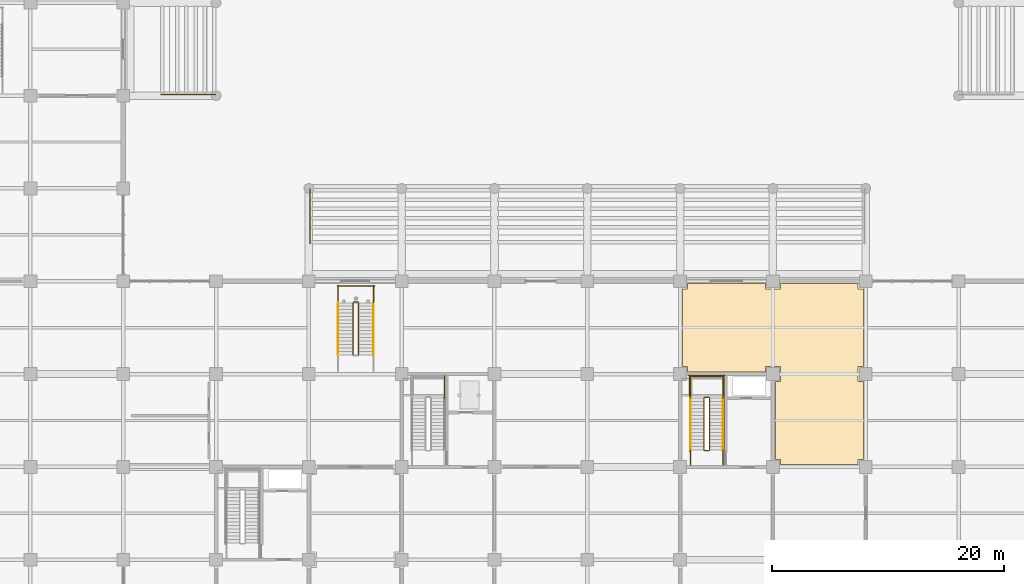
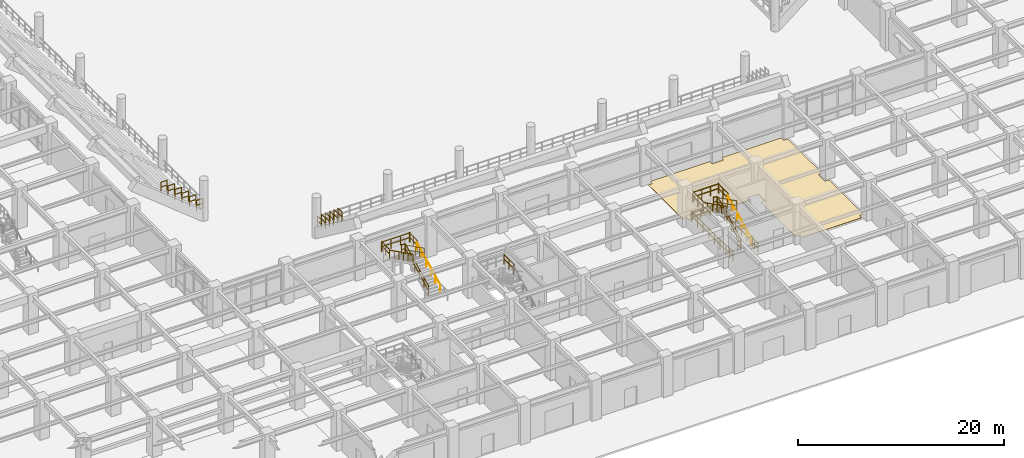
# One storey, part 106 of 125: 35 railings, 1 covering.
"""IFC4 building model written with IfcOpenShell, lengths in metres."""

from ifc_helpers import new_model, si_unit, direction, frame, origin, origin_2d, place, context, subcontext, project, spatial, polyline, circle, outline, extrude, material, layer, layer_set, type_object, element, save


model = new_model("IFC4")

# Units and contexts
model_context = context("Model", 3, precision=1e-05, world=origin(), true_north=direction((0.0, 1.0)))
body_context = subcontext(model_context, "Body", "Model", "MODEL_VIEW")
ifc_project = project(units=[si_unit("LENGTHUNIT", "METRE"), si_unit("AREAUNIT", "SQUARE_METRE"), si_unit("VOLUMEUNIT", "CUBIC_METRE"), si_unit("PLANEANGLEUNIT", "RADIAN"), si_unit("MASSUNIT", "GRAM", prefix="KILO")], contexts=[model_context])

# Site, building, storey
site_placement = place(None, origin())
site = spatial("IfcSite", under=ifc_project, at=site_placement, CompositionType="ELEMENT")
building_placement = place(site_placement, origin())
building = spatial("IfcBuilding", under=site, at=building_placement, Name="Haebicheon Civic Stadium", CompositionType="ELEMENT")
storey_placement = place(building_placement, origin())
storey = spatial("IfcBuildingStorey", under=building, at=storey_placement, Name="L01", CompositionType="ELEMENT", Elevation=0.0)

# Covering
ifc_material_1 = material(Name="Quartz epoxy resin mortar", Category="concrete")
ifc_layer = layer(ifc_material_1, 0.030029296875, Name="Quartz epoxy resin mortar")
ifc_layer_set = layer_set([ifc_layer], Name="Quartz epoxy resin mortar")
covering_type = type_object("IfcCoveringType", Name="COV-FLR-EPX", PredefinedType="FLOORING", material=ifc_layer_set)
covering_placement = place(storey_placement, origin())
element("IfcCovering", 1, at=covering_placement, inside=storey, type_object=covering_type, material=ifc_layer_set, Name="L01 Main Spectator Concourse non-slip floor finish", PredefinedType="FLOORING", context=body_context, shape_type="SweptSolid", body=[
    extrude(outline(polyline([(120.64990234375, 16.199951171875), (120.64990234375, 16.64990234375), (120.199951171875, 16.64990234375), (120.199951171875, 23.35009765625), (120.64990234375, 23.35009765625), (120.64990234375, 24.64990234375), (119.35009765625, 24.64990234375), (119.35009765625, 24.199951171875), (112.64990234375, 24.199951171875), (112.64990234375, 24.64990234375), (112.199951171875, 24.64990234375), (112.199951171875, 31.35009765625), (112.64990234375, 31.35009765625), (112.64990234375, 31.800048828125), (119.35009765625, 31.800048828125), (119.35009765625, 31.35009765625), (120.64990234375, 31.35009765625), (120.64990234375, 31.800048828125), (127.35009765625, 31.800048828125), (127.35009765625, 31.35009765625), (127.800048828125, 31.35009765625), (127.800048828125, 24.64990234375), (127.35009765625, 24.64990234375), (127.35009765625, 23.35009765625), (127.800048828125, 23.35009765625), (127.800048828125, 16.64990234375), (127.35009765625, 16.64990234375), (127.35009765625, 16.199951171875), (120.64990234375, 16.199951171875)])), origin(), (0.0, 0.0, 1.0), 0.030029296875),
])

# Railings
ifc_material_2 = material(Name="Stainless steel 316 and laminated glass", Category="steel")
railing_type_1 = type_object("IfcRailingType", Name="RL-BAL-1200", PredefinedType="BALUSTRADE", material=ifc_material_2)
for number, where, name in (
    (2, (71.239990234375, 48.10009765625, 1.199951171875), "TIER-W-L end-aisle side guard S.1"),
    (3, (70.43994140625, 48.10009765625, 1.910888671875), "TIER-W-L end-aisle side guard S.2"),
):
    element("IfcRailing", number, at=place(storey_placement, frame(where)), inside=storey, type_object=railing_type_1, material=ifc_material_2, Name=name, PredefinedType="BALUSTRADE", context=body_context, shape_type="SweptSolid", body=[
        extrude(circle(Radius=0.02392578125, at=origin_2d()), frame((0.0, 0.0, 1.17578125), z_axis=(1.0, 0.0, 0.0), x_axis=(0.0, 1.0, 0.0)), (0.0, 0.0, 1.0), 0.719970703125),
        extrude(circle(Radius=0.02392578125, at=origin_2d()), frame((0.0, 0.0, 0.60009765625), z_axis=(1.0, 0.0, 0.0), x_axis=(0.0, 1.0, 0.0)), (0.0, 0.0, 1.0), 0.719970703125),
        extrude(circle(Radius=0.02099609375, at=origin_2d()), origin(), (0.0, 0.0, 1.0), 1.15185546875),
        extrude(circle(Radius=0.02099609375, at=origin_2d()), frame((0.719970703125, 0.0, 0.0)), (0.0, 0.0, 1.0), 1.15185546875),
    ])
railing_1_placement = place(storey_placement, frame((69.639892578125, 48.10009765625, 2.6220703125)))
element("IfcRailing", 4, at=railing_1_placement, inside=storey, type_object=railing_type_1, material=ifc_material_2, Name="TIER-W-L end-aisle side guard S.3", PredefinedType="BALUSTRADE", context=body_context, shape_type="SweptSolid", body=[
    extrude(circle(Radius=0.02392578125, at=origin_2d()), frame((0.0, 0.0, 1.17578125), z_axis=(1.0, 0.0, 0.0), x_axis=(0.0, 1.0, 0.0)), (0.0, 0.0, 1.0), 0.72021484375),
    extrude(circle(Radius=0.02392578125, at=origin_2d()), frame((0.0, 0.0, 0.60009765625), z_axis=(1.0, 0.0, 0.0), x_axis=(0.0, 1.0, 0.0)), (0.0, 0.0, 1.0), 0.72021484375),
    extrude(circle(Radius=0.02099609375, at=origin_2d()), origin(), (0.0, 0.0, 1.0), 1.15185546875),
    extrude(circle(Radius=0.02099609375, at=origin_2d()), frame((0.72021484375, 0.0, 0.0)), (0.0, 0.0, 1.0), 1.15185546875),
])
for number, where, name in (
    (5, (68.840087890625, 48.10009765625, 3.3330078125), "TIER-W-L end-aisle side guard S.4"),
    (6, (68.0400390625, 48.10009765625, 4.0439453125), "TIER-W-L end-aisle side guard S.5"),
    (7, (67.239990234375, 48.10009765625, 4.756103515625), "TIER-W-L end-aisle side guard S.6"),
):
    element("IfcRailing", number, at=place(storey_placement, frame(where)), inside=storey, type_object=railing_type_1, material=ifc_material_2, Name=name, PredefinedType="BALUSTRADE", context=body_context, shape_type="SweptSolid", body=[
        extrude(circle(Radius=0.02392578125, at=origin_2d()), frame((0.0, 0.0, 1.17578125), z_axis=(1.0, 0.0, 0.0), x_axis=(0.0, 1.0, 0.0)), (0.0, 0.0, 1.0), 0.719970703125),
        extrude(circle(Radius=0.02392578125, at=origin_2d()), frame((0.0, 0.0, 0.60009765625), z_axis=(1.0, 0.0, 0.0), x_axis=(0.0, 1.0, 0.0)), (0.0, 0.0, 1.0), 0.719970703125),
        extrude(circle(Radius=0.02099609375, at=origin_2d()), origin(), (0.0, 0.0, 1.0), 1.15185546875),
        extrude(circle(Radius=0.02099609375, at=origin_2d()), frame((0.719970703125, 0.0, 0.0)), (0.0, 0.0, 1.0), 1.15185546875),
    ])
for number, where, name in (
    (8, (80.10009765625, 39.239990234375, 1.199951171875), "TIER-S-L end-aisle side guard W.1"),
    (9, (80.10009765625, 38.43994140625, 1.866943359375), "TIER-S-L end-aisle side guard W.2"),
):
    element("IfcRailing", number, at=place(storey_placement, frame(where)), inside=storey, type_object=railing_type_1, material=ifc_material_2, Name=name, PredefinedType="BALUSTRADE", context=body_context, shape_type="SweptSolid", body=[
        extrude(circle(Radius=0.02392578125, at=origin_2d()), frame((0.0, 0.0, 1.17578125), z_axis=(0.0, 1.0, 0.0), x_axis=(-1.0, 0.0, 0.0)), (0.0, 0.0, 1.0), 0.719970703125),
        extrude(circle(Radius=0.02392578125, at=origin_2d()), frame((0.0, 0.0, 0.60009765625), z_axis=(0.0, 1.0, 0.0), x_axis=(-1.0, 0.0, 0.0)), (0.0, 0.0, 1.0), 0.719970703125),
        extrude(circle(Radius=0.02099609375, at=origin_2d()), origin(), (0.0, 0.0, 1.0), 1.15185546875),
        extrude(circle(Radius=0.02099609375, at=origin_2d()), frame((0.0, 0.719970703125, 0.0)), (0.0, 0.0, 1.0), 1.15185546875),
    ])
railing_2_placement = place(storey_placement, frame((80.10009765625, 37.639892578125, 2.532958984375)))
element("IfcRailing", 10, at=railing_2_placement, inside=storey, type_object=railing_type_1, material=ifc_material_2, Name="TIER-S-L end-aisle side guard W.3", PredefinedType="BALUSTRADE", context=body_context, shape_type="SweptSolid", body=[
    extrude(circle(Radius=0.02392578125, at=origin_2d()), frame((0.0, 0.0, 1.17578125), z_axis=(0.0, 1.0, 0.0), x_axis=(-1.0, 0.0, 0.0)), (0.0, 0.0, 1.0), 0.72021484375),
    extrude(circle(Radius=0.02392578125, at=origin_2d()), frame((0.0, 0.0, 0.60009765625), z_axis=(0.0, 1.0, 0.0), x_axis=(-1.0, 0.0, 0.0)), (0.0, 0.0, 1.0), 0.72021484375),
    extrude(circle(Radius=0.02099609375, at=origin_2d()), origin(), (0.0, 0.0, 1.0), 1.15185546875),
    extrude(circle(Radius=0.02099609375, at=origin_2d()), frame((0.0, 0.72021484375, 0.0)), (0.0, 0.0, 1.0), 1.15185546875),
])
for number, where, name in (
    (11, (80.10009765625, 36.840087890625, 3.199951171875), "TIER-S-L end-aisle side guard W.4"),
    (12, (80.10009765625, 36.0400390625, 3.866943359375), "TIER-S-L end-aisle side guard W.5"),
    (13, (80.10009765625, 35.239990234375, 4.532958984375), "TIER-S-L end-aisle side guard W.6"),
):
    element("IfcRailing", number, at=place(storey_placement, frame(where)), inside=storey, type_object=railing_type_1, material=ifc_material_2, Name=name, PredefinedType="BALUSTRADE", context=body_context, shape_type="SweptSolid", body=[
        extrude(circle(Radius=0.02392578125, at=origin_2d()), frame((0.0, 0.0, 1.17578125), z_axis=(0.0, 1.0, 0.0), x_axis=(-1.0, 0.0, 0.0)), (0.0, 0.0, 1.0), 0.719970703125),
        extrude(circle(Radius=0.02392578125, at=origin_2d()), frame((0.0, 0.0, 0.60009765625), z_axis=(0.0, 1.0, 0.0), x_axis=(-1.0, 0.0, 0.0)), (0.0, 0.0, 1.0), 0.719970703125),
        extrude(circle(Radius=0.02099609375, at=origin_2d()), origin(), (0.0, 0.0, 1.0), 1.15185546875),
        extrude(circle(Radius=0.02099609375, at=origin_2d()), frame((0.0, 0.719970703125, 0.0)), (0.0, 0.0, 1.0), 1.15185546875),
    ])
ifc_material_3 = material(Name="Galvanised painted steel SM355", Category="steel")
railing_type_2 = type_object("IfcRailingType", Name="RL-GRD-1150", PredefinedType="GUARDRAIL", material=ifc_material_3)
railing_3_placement = place(storey_placement, frame((91.68994140625, 21.949951171875, 2.39990234375)))
element("IfcRailing", 14, at=railing_3_placement, inside=storey, type_object=railing_type_2, material=ifc_material_3, Name="L01 ST-06 stair guard 3", PredefinedType="GUARDRAIL", context=body_context, shape_type="SweptSolid", body=[
    extrude(circle(Radius=0.02392578125, at=origin_2d()), frame((0.0, 0.0, 1.1259765625), z_axis=(0.0, 1.0, 0.0), x_axis=(-1.0, 0.0, 0.0)), (0.0, 0.0, 1.0), 1.89013671875),
    extrude(circle(Radius=0.02392578125, at=origin_2d()), frame((0.0, 0.0, 0.574951171875), z_axis=(0.0, 1.0, 0.0), x_axis=(-1.0, 0.0, 0.0)), (0.0, 0.0, 1.0), 1.89013671875),
    extrude(circle(Radius=0.02099609375, at=origin_2d()), origin(), (0.0, 0.0, 1.0), 1.101806640625),
    extrude(circle(Radius=0.02099609375, at=origin_2d()), frame((0.0, 0.945068359375, 0.0)), (0.0, 0.0, 1.0), 1.101806640625),
    extrude(circle(Radius=0.02099609375, at=origin_2d()), frame((0.0, 1.89013671875, 0.0)), (0.0, 0.0, 1.0), 1.101806640625),
])
railing_4_placement = place(storey_placement, frame((114.530029296875, 17.449951171875, 0.14990234375)))
element("IfcRailing", 15, at=railing_4_placement, inside=storey, type_object=railing_type_2, material=ifc_material_3, Name="L01 ST-07 stair guard 1", PredefinedType="GUARDRAIL", context=body_context, shape_type="SweptSolid", body=[
    extrude(circle(Radius=0.02392578125, at=origin_2d()), frame((0.0, 0.0, 1.1259765625), z_axis=(0.0, 0.894427191, 0.4472135955), x_axis=(-1.0, 0.0, 0.0)), (0.0, 0.0, 1.0), 5.03125),
    extrude(circle(Radius=0.02392578125, at=origin_2d()), frame((0.0, 0.0, 0.574951171875), z_axis=(0.0, 0.894427191, 0.4472135955), x_axis=(-1.0, 0.0, 0.0)), (0.0, 0.0, 1.0), 5.03125),
    extrude(circle(Radius=0.02099609375, at=origin_2d()), origin(), (0.0, 0.0, 1.0), 1.101806640625),
    extrude(circle(Radius=0.02099609375, at=origin_2d()), frame((0.0, 0.89990234375, 0.449951171875)), (0.0, 0.0, 1.0), 1.101806640625),
    extrude(circle(Radius=0.02099609375, at=origin_2d()), frame((0.0, 1.800048828125, 0.89990234375)), (0.0, 0.0, 1.0), 1.101806640625),
    extrude(circle(Radius=0.02099609375, at=origin_2d()), frame((0.0, 2.699951171875, 1.35009765625)), (0.0, 0.0, 1.0), 1.101806640625),
    extrude(circle(Radius=0.02099609375, at=origin_2d()), frame((0.0, 3.60009765625, 1.800048828125)), (0.0, 0.0, 1.0), 1.101806640625),
    extrude(circle(Radius=0.02099609375, at=origin_2d()), frame((0.0, 4.5, 2.25)), (0.0, 0.0, 1.0), 1.101806640625),
])
railing_5_placement = place(storey_placement, frame((114.47998046875, 22.0, 2.39990234375)))
element("IfcRailing", 16, at=railing_5_placement, inside=storey, type_object=railing_type_2, material=ifc_material_3, Name="L01 ST-07 stair guard 2", PredefinedType="GUARDRAIL", context=body_context, shape_type="SweptSolid", body=[
    extrude(circle(Radius=0.02392578125, at=origin_2d()), frame((0.0, 0.0, 1.1259765625), z_axis=(-1.0, 0.0, 0.0), x_axis=(0.0, -1.0, 0.0)), (0.0, 0.0, 1.0), 0.3798828125),
    extrude(circle(Radius=0.02392578125, at=origin_2d()), frame((0.0, 0.0, 0.574951171875), z_axis=(-1.0, 0.0, 0.0), x_axis=(0.0, -1.0, 0.0)), (0.0, 0.0, 1.0), 0.3798828125),
    extrude(circle(Radius=0.02099609375, at=origin_2d()), origin(), (0.0, 0.0, 1.0), 1.101806640625),
    extrude(circle(Radius=0.02099609375, at=origin_2d()), frame((-0.3798828125, 0.0, 0.0)), (0.0, 0.0, 1.0), 1.101806640625),
])
for number, where, name in (
    (17, (115.68994140625, 21.949951171875, 2.39990234375), "L01 ST-07 stair guard 3"),
    (18, (112.889892578125, 21.949951171875, 2.39990234375), "L01 ST-07 stair guard 4"),
):
    element("IfcRailing", number, at=place(storey_placement, frame(where)), inside=storey, type_object=railing_type_2, material=ifc_material_3, Name=name, PredefinedType="GUARDRAIL", context=body_context, shape_type="SweptSolid", body=[
        extrude(circle(Radius=0.02392578125, at=origin_2d()), frame((0.0, 0.0, 1.1259765625), z_axis=(0.0, 1.0, 0.0), x_axis=(-1.0, 0.0, 0.0)), (0.0, 0.0, 1.0), 1.89013671875),
        extrude(circle(Radius=0.02392578125, at=origin_2d()), frame((0.0, 0.0, 0.574951171875), z_axis=(0.0, 1.0, 0.0), x_axis=(-1.0, 0.0, 0.0)), (0.0, 0.0, 1.0), 1.89013671875),
        extrude(circle(Radius=0.02099609375, at=origin_2d()), origin(), (0.0, 0.0, 1.0), 1.101806640625),
        extrude(circle(Radius=0.02099609375, at=origin_2d()), frame((0.0, 0.945068359375, 0.0)), (0.0, 0.0, 1.0), 1.101806640625),
        extrude(circle(Radius=0.02099609375, at=origin_2d()), frame((0.0, 1.89013671875, 0.0)), (0.0, 0.0, 1.0), 1.101806640625),
    ])
railing_6_placement = place(storey_placement, frame((115.739990234375, 23.7900390625, 2.39990234375)))
element("IfcRailing", 19, at=railing_6_placement, inside=storey, type_object=railing_type_2, material=ifc_material_3, Name="L01 ST-07 stair guard 5", PredefinedType="GUARDRAIL", context=body_context, shape_type="SweptSolid", body=[
    extrude(circle(Radius=0.02392578125, at=origin_2d()), frame((0.0, 0.0, 1.1259765625), z_axis=(-1.0, 0.0, 0.0), x_axis=(0.0, -1.0, 0.0)), (0.0, 0.0, 1.0), 2.89990234375),
    extrude(circle(Radius=0.02392578125, at=origin_2d()), frame((0.0, 0.0, 0.574951171875), z_axis=(-1.0, 0.0, 0.0), x_axis=(0.0, -1.0, 0.0)), (0.0, 0.0, 1.0), 2.89990234375),
    extrude(circle(Radius=0.02099609375, at=origin_2d()), origin(), (0.0, 0.0, 1.0), 1.101806640625),
    extrude(circle(Radius=0.02099609375, at=origin_2d()), frame((-0.966552734375, 0.0, 0.0)), (0.0, 0.0, 1.0), 1.101806640625),
    extrude(circle(Radius=0.02099609375, at=origin_2d()), frame((-1.933349609375, 0.0, 0.0)), (0.0, 0.0, 1.0), 1.101806640625),
    extrude(circle(Radius=0.02099609375, at=origin_2d()), frame((-2.89990234375, 0.0, 0.0)), (0.0, 0.0, 1.0), 1.101806640625),
])
railing_7_placement = place(storey_placement, frame((114.050048828125, 21.949951171875, 2.550048828125)))
element("IfcRailing", 20, at=railing_7_placement, inside=storey, type_object=railing_type_2, material=ifc_material_3, Name="L01 ST-07 stair guard 6", PredefinedType="GUARDRAIL", context=body_context, shape_type="SweptSolid", body=[
    extrude(circle(Radius=0.02392578125, at=origin_2d()), frame((0.0, 0.0, 1.1259765625), z_axis=(0.0, -0.894427191, 0.4472135955), x_axis=(1.0, 0.0, 0.0)), (0.0, 0.0, 1.0), 5.03125),
    extrude(circle(Radius=0.02392578125, at=origin_2d()), frame((0.0, 0.0, 0.574951171875), z_axis=(0.0, -0.894427191, 0.4472135955), x_axis=(1.0, 0.0, 0.0)), (0.0, 0.0, 1.0), 5.03125),
    extrude(circle(Radius=0.02099609375, at=origin_2d()), origin(), (0.0, 0.0, 1.0), 1.101806640625),
    extrude(circle(Radius=0.02099609375, at=origin_2d()), frame((0.0, -0.89990234375, 0.449951171875)), (0.0, 0.0, 1.0), 1.101806640625),
    extrude(circle(Radius=0.02099609375, at=origin_2d()), frame((0.0, -1.800048828125, 0.89990234375)), (0.0, 0.0, 1.0), 1.101806640625),
    extrude(circle(Radius=0.02099609375, at=origin_2d()), frame((0.0, -2.699951171875, 1.35009765625)), (0.0, 0.0, 1.0), 1.101806640625),
    extrude(circle(Radius=0.02099609375, at=origin_2d()), frame((0.0, -3.60009765625, 1.800048828125)), (0.0, 0.0, 1.0), 1.101806640625),
    extrude(circle(Radius=0.02099609375, at=origin_2d()), frame((0.0, -4.5, 2.25)), (0.0, 0.0, 1.0), 1.101806640625),
])
railing_8_placement = place(storey_placement, frame((114.47998046875, 17.39990234375, 0.0)))
element("IfcRailing", 21, at=railing_8_placement, inside=storey, type_object=railing_type_2, material=ifc_material_3, Name="L01 ST-07 stair guard 7", PredefinedType="GUARDRAIL", context=body_context, shape_type="SweptSolid", body=[
    extrude(circle(Radius=0.02392578125, at=origin_2d()), frame((0.0, 0.0, 1.1259765625), z_axis=(-1.0, 0.0, 0.0), x_axis=(0.0, -1.0, 0.0)), (0.0, 0.0, 1.0), 0.3798828125),
    extrude(circle(Radius=0.02392578125, at=origin_2d()), frame((0.0, 0.0, 0.574951171875), z_axis=(-1.0, 0.0, 0.0), x_axis=(0.0, -1.0, 0.0)), (0.0, 0.0, 1.0), 0.3798828125),
    extrude(circle(Radius=0.02099609375, at=origin_2d()), origin(), (0.0, 0.0, 1.0), 1.101806640625),
    extrude(circle(Radius=0.02099609375, at=origin_2d()), frame((-0.3798828125, 0.0, 0.0)), (0.0, 0.0, 1.0), 1.101806640625),
])
for number, where, name in (
    (22, (115.68994140625, 16.159912109375, 0.0), "L01 ST-07 stair guard 8"),
    (23, (112.889892578125, 16.159912109375, 0.0), "L01 ST-07 stair guard 9"),
):
    element("IfcRailing", number, at=place(storey_placement, frame(where)), inside=storey, type_object=railing_type_2, material=ifc_material_3, Name=name, PredefinedType="GUARDRAIL", context=body_context, shape_type="SweptSolid", body=[
        extrude(circle(Radius=0.02392578125, at=origin_2d()), frame((0.0, 0.0, 1.1259765625), z_axis=(0.0, 1.0, 0.0), x_axis=(-1.0, 0.0, 0.0)), (0.0, 0.0, 1.0), 1.2900390625),
        extrude(circle(Radius=0.02392578125, at=origin_2d()), frame((0.0, 0.0, 0.574951171875), z_axis=(0.0, 1.0, 0.0), x_axis=(-1.0, 0.0, 0.0)), (0.0, 0.0, 1.0), 1.2900390625),
        extrude(circle(Radius=0.02099609375, at=origin_2d()), origin(), (0.0, 0.0, 1.0), 1.101806640625),
        extrude(circle(Radius=0.02099609375, at=origin_2d()), frame((0.0, 0.64501953125, 0.0)), (0.0, 0.0, 1.0), 1.101806640625),
        extrude(circle(Radius=0.02099609375, at=origin_2d()), frame((0.0, 1.2900390625, 0.0)), (0.0, 0.0, 1.0), 1.101806640625),
    ])
for number, where, name in (
    (24, (115.7900390625, 17.35009765625, 0.0), "L01 ST-07 stair guard 10"),
    (25, (112.7900390625, 17.35009765625, 0.0), "L01 ST-07 stair guard 11"),
):
    element("IfcRailing", number, at=place(storey_placement, frame(where)), inside=storey, type_object=railing_type_2, material=ifc_material_3, Name=name, PredefinedType="GUARDRAIL", context=body_context, shape_type="SweptSolid", body=[
        extrude(circle(Radius=0.02392578125, at=origin_2d()), frame((0.0, 0.0, 1.1259765625), z_axis=(0.0, 1.0, 0.0), x_axis=(-1.0, 0.0, 0.0)), (0.0, 0.0, 1.0), 6.58984375),
        extrude(circle(Radius=0.02392578125, at=origin_2d()), frame((0.0, 0.0, 0.574951171875), z_axis=(0.0, 1.0, 0.0), x_axis=(-1.0, 0.0, 0.0)), (0.0, 0.0, 1.0), 6.58984375),
        extrude(circle(Radius=0.02099609375, at=origin_2d()), origin(), (0.0, 0.0, 1.0), 1.101806640625),
        extrude(circle(Radius=0.02099609375, at=origin_2d()), frame((0.0, 1.098388671875, 0.0)), (0.0, 0.0, 1.0), 1.101806640625),
        extrude(circle(Radius=0.02099609375, at=origin_2d()), frame((0.0, 2.196533203125, 0.0)), (0.0, 0.0, 1.0), 1.101806640625),
        extrude(circle(Radius=0.02099609375, at=origin_2d()), frame((0.0, 3.294921875, 0.0)), (0.0, 0.0, 1.0), 1.101806640625),
        extrude(circle(Radius=0.02099609375, at=origin_2d()), frame((0.0, 4.393310546875, 0.0)), (0.0, 0.0, 1.0), 1.101806640625),
        extrude(circle(Radius=0.02099609375, at=origin_2d()), frame((0.0, 5.491455078125, 0.0)), (0.0, 0.0, 1.0), 1.101806640625),
        extrude(circle(Radius=0.02099609375, at=origin_2d()), frame((0.0, 6.58984375, 0.0)), (0.0, 0.0, 1.0), 1.101806640625),
    ])
railing_9_placement = place(storey_placement, frame((115.840087890625, 23.889892578125, 0.0)))
element("IfcRailing", 26, at=railing_9_placement, inside=storey, type_object=railing_type_2, material=ifc_material_3, Name="L01 ST-07 stair guard 12", PredefinedType="GUARDRAIL", context=body_context, shape_type="SweptSolid", body=[
    extrude(circle(Radius=0.02392578125, at=origin_2d()), frame((0.0, 0.0, 1.1259765625), z_axis=(-1.0, 0.0, 0.0), x_axis=(0.0, -1.0, 0.0)), (0.0, 0.0, 1.0), 3.10009765625),
    extrude(circle(Radius=0.02392578125, at=origin_2d()), frame((0.0, 0.0, 0.574951171875), z_axis=(-1.0, 0.0, 0.0), x_axis=(0.0, -1.0, 0.0)), (0.0, 0.0, 1.0), 3.10009765625),
    extrude(circle(Radius=0.02099609375, at=origin_2d()), origin(), (0.0, 0.0, 1.0), 1.101806640625),
    extrude(circle(Radius=0.02099609375, at=origin_2d()), frame((-1.033447265625, 0.0, 0.0)), (0.0, 0.0, 1.0), 1.101806640625),
    extrude(circle(Radius=0.02099609375, at=origin_2d()), frame((-2.066650390625, 0.0, 0.0)), (0.0, 0.0, 1.0), 1.101806640625),
    extrude(circle(Radius=0.02099609375, at=origin_2d()), frame((-3.10009765625, 0.0, 0.0)), (0.0, 0.0, 1.0), 1.101806640625),
])
railing_10_placement = place(storey_placement, frame((84.2900390625, 25.64990234375, 0.14990234375)))
element("IfcRailing", 27, at=railing_10_placement, inside=storey, type_object=railing_type_2, material=ifc_material_3, Name="L01 VM-10 stair guard 1", PredefinedType="GUARDRAIL", context=body_context, shape_type="SweptSolid", body=[
    extrude(circle(Radius=0.02392578125, at=origin_2d()), frame((0.0, 0.0, 1.1259765625), z_axis=(0.0, 0.894427191, 0.4472135955), x_axis=(-1.0, 0.0, 0.0)), (0.0, 0.0, 1.0), 5.03125),
    extrude(circle(Radius=0.02392578125, at=origin_2d()), frame((0.0, 0.0, 0.574951171875), z_axis=(0.0, 0.894427191, 0.4472135955), x_axis=(-1.0, 0.0, 0.0)), (0.0, 0.0, 1.0), 5.03125),
    extrude(circle(Radius=0.02099609375, at=origin_2d()), origin(), (0.0, 0.0, 1.0), 1.101806640625),
    extrude(circle(Radius=0.02099609375, at=origin_2d()), frame((0.0, 0.89990234375, 0.449951171875)), (0.0, 0.0, 1.0), 1.101806640625),
    extrude(circle(Radius=0.02099609375, at=origin_2d()), frame((0.0, 1.800048828125, 0.89990234375)), (0.0, 0.0, 1.0), 1.101806640625),
    extrude(circle(Radius=0.02099609375, at=origin_2d()), frame((0.0, 2.699951171875, 1.35009765625)), (0.0, 0.0, 1.0), 1.101806640625),
    extrude(circle(Radius=0.02099609375, at=origin_2d()), frame((0.0, 3.60009765625, 1.800048828125)), (0.0, 0.0, 1.0), 1.101806640625),
    extrude(circle(Radius=0.02099609375, at=origin_2d()), frame((0.0, 4.5, 2.25)), (0.0, 0.0, 1.0), 1.101806640625),
])
railing_11_placement = place(storey_placement, frame((84.239990234375, 30.199951171875, 2.39990234375)))
element("IfcRailing", 28, at=railing_11_placement, inside=storey, type_object=railing_type_2, material=ifc_material_3, Name="L01 VM-10 stair guard 2", PredefinedType="GUARDRAIL", context=body_context, shape_type="SweptSolid", body=[
    extrude(circle(Radius=0.02392578125, at=origin_2d()), frame((0.0, 0.0, 1.1259765625), z_axis=(-1.0, 0.0, 0.0), x_axis=(0.0, -1.0, 0.0)), (0.0, 0.0, 1.0), 0.3798828125),
    extrude(circle(Radius=0.02392578125, at=origin_2d()), frame((0.0, 0.0, 0.574951171875), z_axis=(-1.0, 0.0, 0.0), x_axis=(0.0, -1.0, 0.0)), (0.0, 0.0, 1.0), 0.3798828125),
    extrude(circle(Radius=0.02099609375, at=origin_2d()), origin(), (0.0, 0.0, 1.0), 1.101806640625),
    extrude(circle(Radius=0.02099609375, at=origin_2d()), frame((-0.3798828125, 0.0, 0.0)), (0.0, 0.0, 1.0), 1.101806640625),
])
for number, where, name in (
    (29, (85.590087890625, 30.14990234375, 2.39990234375), "L01 VM-10 stair guard 3"),
    (30, (82.510009765625, 30.14990234375, 2.39990234375), "L01 VM-10 stair guard 4"),
):
    element("IfcRailing", number, at=place(storey_placement, frame(where)), inside=storey, type_object=railing_type_2, material=ifc_material_3, Name=name, PredefinedType="GUARDRAIL", context=body_context, shape_type="SweptSolid", body=[
        extrude(circle(Radius=0.02392578125, at=origin_2d()), frame((0.0, 0.0, 1.1259765625), z_axis=(0.0, 1.0, 0.0), x_axis=(-1.0, 0.0, 0.0)), (0.0, 0.0, 1.0), 1.5),
        extrude(circle(Radius=0.02392578125, at=origin_2d()), frame((0.0, 0.0, 0.574951171875), z_axis=(0.0, 1.0, 0.0), x_axis=(-1.0, 0.0, 0.0)), (0.0, 0.0, 1.0), 1.5),
        extrude(circle(Radius=0.02099609375, at=origin_2d()), origin(), (0.0, 0.0, 1.0), 1.101806640625),
        extrude(circle(Radius=0.02099609375, at=origin_2d()), frame((0.0, 0.75, 0.0)), (0.0, 0.0, 1.0), 1.101806640625),
        extrude(circle(Radius=0.02099609375, at=origin_2d()), frame((0.0, 1.5, 0.0)), (0.0, 0.0, 1.0), 1.101806640625),
    ])
railing_12_placement = place(storey_placement, frame((85.639892578125, 31.60009765625, 2.39990234375)))
element("IfcRailing", 31, at=railing_12_placement, inside=storey, type_object=railing_type_2, material=ifc_material_3, Name="L01 VM-10 stair guard 5", PredefinedType="GUARDRAIL", context=body_context, shape_type="SweptSolid", body=[
    extrude(circle(Radius=0.02392578125, at=origin_2d()), frame((0.0, 0.0, 1.1259765625), z_axis=(-1.0, 0.0, 0.0), x_axis=(0.0, -1.0, 0.0)), (0.0, 0.0, 1.0), 3.179931640625),
    extrude(circle(Radius=0.02392578125, at=origin_2d()), frame((0.0, 0.0, 0.574951171875), z_axis=(-1.0, 0.0, 0.0), x_axis=(0.0, -1.0, 0.0)), (0.0, 0.0, 1.0), 3.179931640625),
    extrude(circle(Radius=0.02099609375, at=origin_2d()), origin(), (0.0, 0.0, 1.0), 1.101806640625),
    extrude(circle(Radius=0.02099609375, at=origin_2d()), frame((-1.06005859375, 0.0, 0.0)), (0.0, 0.0, 1.0), 1.101806640625),
    extrude(circle(Radius=0.02099609375, at=origin_2d()), frame((-2.119873046875, 0.0, 0.0)), (0.0, 0.0, 1.0), 1.101806640625),
    extrude(circle(Radius=0.02099609375, at=origin_2d()), frame((-3.179931640625, 0.0, 0.0)), (0.0, 0.0, 1.0), 1.101806640625),
])
railing_13_placement = place(storey_placement, frame((83.81005859375, 30.14990234375, 2.550048828125)))
element("IfcRailing", 32, at=railing_13_placement, inside=storey, type_object=railing_type_2, material=ifc_material_3, Name="L01 VM-10 stair guard 6", PredefinedType="GUARDRAIL", context=body_context, shape_type="SweptSolid", body=[
    extrude(circle(Radius=0.02392578125, at=origin_2d()), frame((0.0, 0.0, 1.1259765625), z_axis=(0.0, -0.894427191, 0.4472135955), x_axis=(1.0, 0.0, 0.0)), (0.0, 0.0, 1.0), 5.03125),
    extrude(circle(Radius=0.02392578125, at=origin_2d()), frame((0.0, 0.0, 0.574951171875), z_axis=(0.0, -0.894427191, 0.4472135955), x_axis=(1.0, 0.0, 0.0)), (0.0, 0.0, 1.0), 5.03125),
    extrude(circle(Radius=0.02099609375, at=origin_2d()), origin(), (0.0, 0.0, 1.0), 1.101806640625),
    extrude(circle(Radius=0.02099609375, at=origin_2d()), frame((0.0, -0.89990234375, 0.449951171875)), (0.0, 0.0, 1.0), 1.101806640625),
    extrude(circle(Radius=0.02099609375, at=origin_2d()), frame((0.0, -1.800048828125, 0.89990234375)), (0.0, 0.0, 1.0), 1.101806640625),
    extrude(circle(Radius=0.02099609375, at=origin_2d()), frame((0.0, -2.699951171875, 1.35009765625)), (0.0, 0.0, 1.0), 1.101806640625),
    extrude(circle(Radius=0.02099609375, at=origin_2d()), frame((0.0, -3.60009765625, 1.800048828125)), (0.0, 0.0, 1.0), 1.101806640625),
    extrude(circle(Radius=0.02099609375, at=origin_2d()), frame((0.0, -4.5, 2.25)), (0.0, 0.0, 1.0), 1.101806640625),
])
ifc_material_4 = material(Name="Stainless steel 316", Category="steel")
railing_type_3 = type_object("IfcRailingType", Name="RL-HND-900", PredefinedType="HANDRAIL", material=ifc_material_4)
railing_14_placement = place(storey_placement, frame((115.68994140625, 17.449951171875, 0.14990234375)))
element("IfcRailing", 33, at=railing_14_placement, inside=storey, type_object=railing_type_3, material=ifc_material_4, Name="L01 ST-07 stair handrail 1", PredefinedType="HANDRAIL", context=body_context, shape_type="SweptSolid", body=[
    extrude(circle(Radius=0.02392578125, at=origin_2d()), frame((0.0, 0.0, 0.8759765625), z_axis=(0.0, 0.894427191, 0.4472135955), x_axis=(-1.0, 0.0, 0.0)), (0.0, 0.0, 1.0), 5.03125),
    extrude(circle(Radius=0.02099609375, at=origin_2d()), origin(), (0.0, 0.0, 1.0), 0.851806640625),
    extrude(circle(Radius=0.02099609375, at=origin_2d()), frame((0.0, 0.89990234375, 0.449951171875)), (0.0, 0.0, 1.0), 0.851806640625),
    extrude(circle(Radius=0.02099609375, at=origin_2d()), frame((0.0, 1.800048828125, 0.89990234375)), (0.0, 0.0, 1.0), 0.851806640625),
    extrude(circle(Radius=0.02099609375, at=origin_2d()), frame((0.0, 2.699951171875, 1.35009765625)), (0.0, 0.0, 1.0), 0.851806640625),
    extrude(circle(Radius=0.02099609375, at=origin_2d()), frame((0.0, 3.60009765625, 1.800048828125)), (0.0, 0.0, 1.0), 0.851806640625),
    extrude(circle(Radius=0.02099609375, at=origin_2d()), frame((0.0, 4.5, 2.25)), (0.0, 0.0, 1.0), 0.851806640625),
])
railing_15_placement = place(storey_placement, frame((112.889892578125, 21.949951171875, 2.550048828125)))
element("IfcRailing", 34, at=railing_15_placement, inside=storey, type_object=railing_type_3, material=ifc_material_4, Name="L01 ST-07 stair handrail 2", PredefinedType="HANDRAIL", context=body_context, shape_type="SweptSolid", body=[
    extrude(circle(Radius=0.02392578125, at=origin_2d()), frame((0.0, 0.0, 0.8759765625), z_axis=(0.0, -0.894427191, 0.4472135955), x_axis=(1.0, 0.0, 0.0)), (0.0, 0.0, 1.0), 5.03125),
    extrude(circle(Radius=0.02099609375, at=origin_2d()), origin(), (0.0, 0.0, 1.0), 0.851806640625),
    extrude(circle(Radius=0.02099609375, at=origin_2d()), frame((0.0, -0.89990234375, 0.449951171875)), (0.0, 0.0, 1.0), 0.851806640625),
    extrude(circle(Radius=0.02099609375, at=origin_2d()), frame((0.0, -1.800048828125, 0.89990234375)), (0.0, 0.0, 1.0), 0.851806640625),
    extrude(circle(Radius=0.02099609375, at=origin_2d()), frame((0.0, -2.699951171875, 1.35009765625)), (0.0, 0.0, 1.0), 0.851806640625),
    extrude(circle(Radius=0.02099609375, at=origin_2d()), frame((0.0, -3.60009765625, 1.800048828125)), (0.0, 0.0, 1.0), 0.851806640625),
    extrude(circle(Radius=0.02099609375, at=origin_2d()), frame((0.0, -4.5, 2.25)), (0.0, 0.0, 1.0), 0.851806640625),
])
railing_16_placement = place(storey_placement, frame((85.590087890625, 25.64990234375, 0.14990234375)))
element("IfcRailing", 35, at=railing_16_placement, inside=storey, type_object=railing_type_3, material=ifc_material_4, Name="L01 VM-10 stair handrail 1", PredefinedType="HANDRAIL", context=body_context, shape_type="SweptSolid", body=[
    extrude(circle(Radius=0.02392578125, at=origin_2d()), frame((0.0, 0.0, 0.8759765625), z_axis=(0.0, 0.894427191, 0.4472135955), x_axis=(-1.0, 0.0, 0.0)), (0.0, 0.0, 1.0), 5.03125),
    extrude(circle(Radius=0.02099609375, at=origin_2d()), origin(), (0.0, 0.0, 1.0), 0.851806640625),
    extrude(circle(Radius=0.02099609375, at=origin_2d()), frame((0.0, 0.89990234375, 0.449951171875)), (0.0, 0.0, 1.0), 0.851806640625),
    extrude(circle(Radius=0.02099609375, at=origin_2d()), frame((0.0, 1.800048828125, 0.89990234375)), (0.0, 0.0, 1.0), 0.851806640625),
    extrude(circle(Radius=0.02099609375, at=origin_2d()), frame((0.0, 2.699951171875, 1.35009765625)), (0.0, 0.0, 1.0), 0.851806640625),
    extrude(circle(Radius=0.02099609375, at=origin_2d()), frame((0.0, 3.60009765625, 1.800048828125)), (0.0, 0.0, 1.0), 0.851806640625),
    extrude(circle(Radius=0.02099609375, at=origin_2d()), frame((0.0, 4.5, 2.25)), (0.0, 0.0, 1.0), 0.851806640625),
])
railing_17_placement = place(storey_placement, frame((82.510009765625, 30.14990234375, 2.550048828125)))
element("IfcRailing", 36, at=railing_17_placement, inside=storey, type_object=railing_type_3, material=ifc_material_4, Name="L01 VM-10 stair handrail 2", PredefinedType="HANDRAIL", context=body_context, shape_type="SweptSolid", body=[
    extrude(circle(Radius=0.02392578125, at=origin_2d()), frame((0.0, 0.0, 0.8759765625), z_axis=(0.0, -0.894427191, 0.4472135955), x_axis=(1.0, 0.0, 0.0)), (0.0, 0.0, 1.0), 5.03125),
    extrude(circle(Radius=0.02099609375, at=origin_2d()), origin(), (0.0, 0.0, 1.0), 0.851806640625),
    extrude(circle(Radius=0.02099609375, at=origin_2d()), frame((0.0, -0.89990234375, 0.449951171875)), (0.0, 0.0, 1.0), 0.851806640625),
    extrude(circle(Radius=0.02099609375, at=origin_2d()), frame((0.0, -1.800048828125, 0.89990234375)), (0.0, 0.0, 1.0), 0.851806640625),
    extrude(circle(Radius=0.02099609375, at=origin_2d()), frame((0.0, -2.699951171875, 1.35009765625)), (0.0, 0.0, 1.0), 0.851806640625),
    extrude(circle(Radius=0.02099609375, at=origin_2d()), frame((0.0, -3.60009765625, 1.800048828125)), (0.0, 0.0, 1.0), 0.851806640625),
    extrude(circle(Radius=0.02099609375, at=origin_2d()), frame((0.0, -4.5, 2.25)), (0.0, 0.0, 1.0), 0.851806640625),
])

save(model, "model.ifc")
